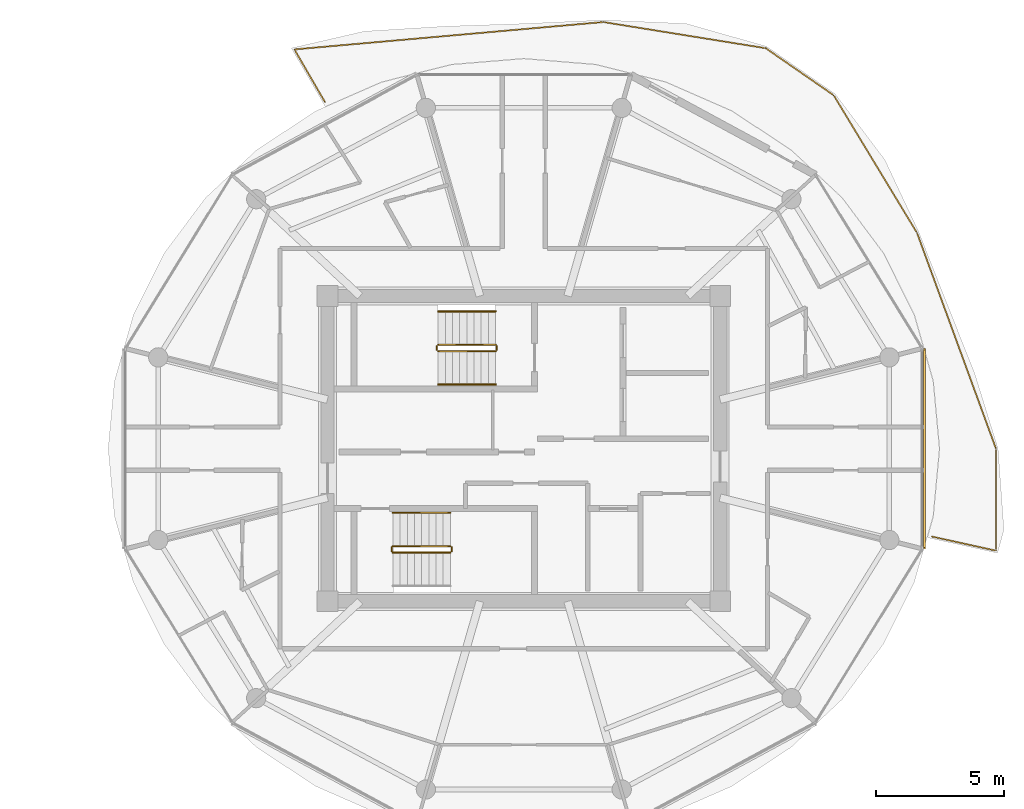
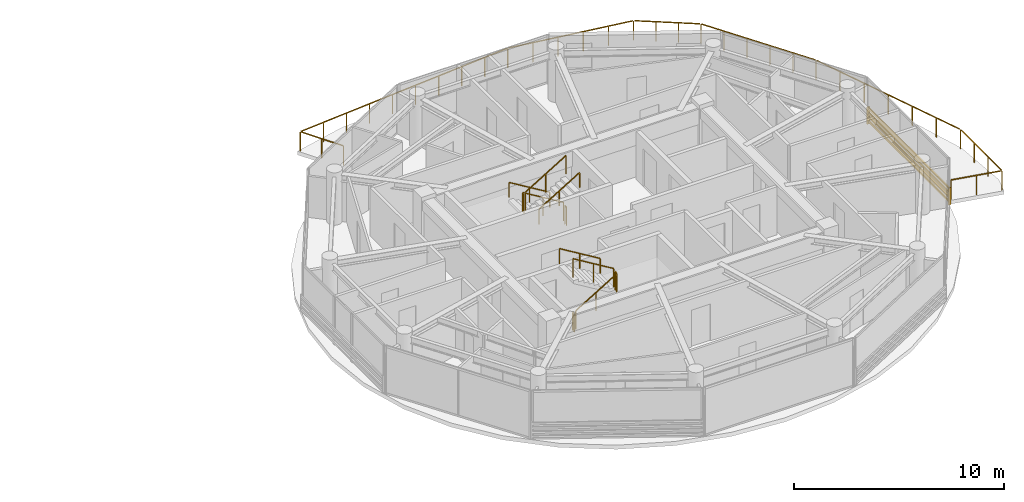
# One storey, part 19 of 19: 12 railings, 1 shading device.
"""IFC4 building model written with IfcOpenShell, lengths in metres."""

import ifcopenshell
import ifcopenshell.guid

model = None  # the IFC model being written
_history = None  # IfcOwnerHistory: only IFC2X3 demands one
_inside = {}  # id of a spatial element -> (the spatial element, [elements in it])
_under = {}  # id of a project, library or spatial element -> (it, [spatial elements below it])
_declared = {}  # id of a project -> (the project, [libraries it declares])
_typed = {}  # id of a type object -> (the type object, [elements of that type])
_made_of = {}  # id of a material, layer set ... -> (it, [elements and type objects made of it])


def new_model(schema):
    """Start an empty IFC model of exactly this schema.

    Asked for "IFC4X3", IfcOpenShell would pick the latest addendum, in which some entities
    have other attributes; the version numbers below select the first issue.
    IFC2X3 requires an IfcOwnerHistory on every rooted entity: one is made here for all.
    """
    global model, _history
    if schema == "IFC4X3":
        model = ifcopenshell.file(schema_version=(4, 3, 0, 0))
    else:
        model = ifcopenshell.file(schema=schema)
    _inside.clear()
    _under.clear()
    _declared.clear()
    _typed.clear()
    _made_of.clear()
    _history = None
    if model.schema == "IFC2X3":
        org = make("IfcOrganization", Name="unknown")
        user = make(
            "IfcPersonAndOrganization",
            ThePerson=make("IfcPerson", FamilyName="unknown"),
            TheOrganization=org,
        )
        app = make(
            "IfcApplication",
            ApplicationDeveloper=org,
            Version="unknown",
            ApplicationFullName="unknown",
            ApplicationIdentifier="unknown",
        )
        _history = make(
            "IfcOwnerHistory",
            OwningUser=user,
            OwningApplication=app,
            ChangeAction="ADDED",
            CreationDate=0,
        )
    return model


def make(cls, **values):
    """One entity of the class cls with the attributes given. An attribute that is None is left unset."""
    return model.create_entity(
        cls, **{name: value for name, value in values.items() if value is not None}
    )


def rooted(cls, **values):
    """An entity with a GlobalId (a new one), such as an element, a storey or a relation."""
    return make(cls, GlobalId=ifcopenshell.guid.new(), OwnerHistory=_history, **values)


def si_unit(unit_type, name, prefix=None):
    """IfcSIUnit, for example si_unit("LENGTHUNIT", "METRE", prefix="MILLI")."""
    return make("IfcSIUnit", UnitType=unit_type, Prefix=prefix, Name=name)


def assignment(units):
    """IfcUnitAssignment: the units of a project."""
    return None if units is None else make("IfcUnitAssignment", Units=units)


def point(xyz):
    """IfcCartesianPoint."""
    return None if xyz is None else make("IfcCartesianPoint", Coordinates=xyz)


def direction(xyz):
    """IfcDirection."""
    return None if xyz is None else make("IfcDirection", DirectionRatios=xyz)


def frame(location, z_axis=None, x_axis=None):
    """IfcAxis2Placement3D, a coordinate frame: its origin and axes. An axis left out is left unset."""
    return make(
        "IfcAxis2Placement3D",
        Location=point(location),
        Axis=direction(z_axis),
        RefDirection=direction(x_axis),
    )


def frame_2d(location, x_axis=None):
    """IfcAxis2Placement2D, a coordinate frame in the plane: its origin and x axis."""
    return make(
        "IfcAxis2Placement2D", Location=point(location), RefDirection=direction(x_axis)
    )


def origin():
    """The frame at (0, 0, 0) with its axes left unset."""
    return frame((0.0, 0.0, 0.0))


def origin_2d():
    """The frame at (0, 0) in the plane with its x axis left unset."""
    return frame_2d((0.0, 0.0))


def place(relative_to, where):
    """IfcLocalPlacement: puts the frame where relative to a parent placement (None: the world)."""
    return make(
        "IfcLocalPlacement", PlacementRelTo=relative_to, RelativePlacement=where
    )


def context(
    kind, dimensions, precision=None, world=None, true_north=None, identifier=None
):
    """IfcGeometricRepresentationContext, for example the 3D "Model" context."""
    return make(
        "IfcGeometricRepresentationContext",
        ContextIdentifier=identifier,
        ContextType=kind,
        CoordinateSpaceDimension=dimensions,
        Precision=precision,
        WorldCoordinateSystem=world,
        TrueNorth=true_north,
    )


def subcontext(parent, identifier, kind, view, scale=None):
    """IfcGeometricRepresentationSubContext, for example "Body" below "Model"."""
    return make(
        "IfcGeometricRepresentationSubContext",
        ContextIdentifier=identifier,
        ContextType=kind,
        ParentContext=parent,
        TargetScale=scale,
        TargetView=view,
    )


def project(units=None, contexts=None):
    """IfcProject with its units and contexts."""
    return rooted(
        "IfcProject",
        Name="project",
        RepresentationContexts=contexts,
        UnitsInContext=assignment(units),
    )


def spatial(cls, under=None, at=None, **own):
    """A site, building, storey or space (cls), placed at a placement, below another one or the project."""
    s = rooted(cls, ObjectPlacement=at, **own)
    if under is not None:
        _under.setdefault(under.id(), (under, []))[1].append(s)
    return s


def profile(cls, at=None, kind="AREA", **sizes):
    """A parametric profile (cls). Its sizes go by their IFC names, for example OverallWidth=200.0."""
    return make(cls, ProfileType=kind, Position=at, **sizes)


def rectangle(**sizes):
    """IfcRectangleProfileDef."""
    return profile("IfcRectangleProfileDef", **sizes)


def extrude(swept, where, along, depth):
    """IfcExtrudedAreaSolid: the profile swept, set in the frame where, extruded along a direction by depth."""
    return make(
        "IfcExtrudedAreaSolid",
        SweptArea=swept,
        Position=where,
        ExtrudedDirection=direction(along),
        Depth=depth,
    )


def shape(context_of_items, identifier, shape_type, items):
    """IfcShapeRepresentation: the items that make up one representation, for example the "Body"."""
    return make(
        "IfcShapeRepresentation",
        ContextOfItems=context_of_items,
        RepresentationIdentifier=identifier,
        RepresentationType=shape_type,
        Items=items,
    )


def source(mapping_origin, context_of_items, identifier, shape_type, items):
    """IfcRepresentationMap: a shape defined once, which mapped items show again and again."""
    return make(
        "IfcRepresentationMap",
        MappingOrigin=mapping_origin,
        MappedRepresentation=shape(context_of_items, identifier, shape_type, items),
    )


def transform(
    local_origin,
    x_axis=None,
    y_axis=None,
    z_axis=None,
    scale=None,
    scale2=None,
    scale3=None,
    uniform=True,
):
    """IfcCartesianTransformationOperator3D, or its non-uniform kind. x_axis, y_axis, z_axis: its Axis1, 2, 3."""
    if uniform:
        return make(
            "IfcCartesianTransformationOperator3D",
            Axis1=direction(x_axis),
            Axis2=direction(y_axis),
            LocalOrigin=point(local_origin),
            Scale=scale,
            Axis3=direction(z_axis),
        )
    return make(
        "IfcCartesianTransformationOperator3DnonUniform",
        Axis1=direction(x_axis),
        Axis2=direction(y_axis),
        LocalOrigin=point(local_origin),
        Scale=scale,
        Axis3=direction(z_axis),
        Scale2=scale2,
        Scale3=scale3,
    )


def mapped(mapping_source, mapping_target):
    """IfcMappedItem: shows the shape of a source again, moved by a transform."""
    return make(
        "IfcMappedItem", MappingSource=mapping_source, MappingTarget=mapping_target
    )


def material(Name=None, Category=None):
    """IfcMaterial."""
    return make("IfcMaterial", Name=Name, Category=Category)


def made_of(thing, what):
    """Note that an element or type object is made of a material, layer set ...; save() writes the relation."""
    if what is not None:
        _made_of.setdefault(what.id(), (what, []))[1].append(thing)
    return thing


def type_object(cls, material=None, **own):
    """A type object (cls), such as IfcWallType, which elements share."""
    return made_of(rooted(cls, **own), material)


def type_shapes(of_type, sources):
    """Give a type object the sources (RepresentationMaps) that its elements show as mapped items."""
    of_type.RepresentationMaps = sources


def element(
    cls,
    number,
    at=None,
    inside=None,
    cuts=None,
    type_object=None,
    material=None,
    context=None,
    identifier="Body",
    shape_type=None,
    held_by="IfcProductDefinitionShape",
    body=None,
    shapes=None,
    **own,
):
    """One element of the class cls, such as IfcWall. Its Tag is "e" and its number.

    at: its placement. inside: the storey or other place that contains it. cuts: it is an
    opening in that element (IfcRelVoidsElement). A single representation is given by context,
    identifier, shape_type and body (its items); several are given by shapes. held_by: the class
    of the entity that holds the representations. save() writes the other relations.
    """
    e = rooted(cls, Tag="e%d" % number, ObjectPlacement=at, **own)
    if body is not None:
        shapes = [shape(context, identifier, shape_type, body)]
    if shapes is not None:
        e.Representation = make(held_by, Representations=shapes)
    if inside is not None:
        _inside.setdefault(inside.id(), (inside, []))[1].append(e)
    if cuts is not None:
        rooted(
            "IfcRelVoidsElement", RelatingBuildingElement=cuts, RelatedOpeningElement=e
        )
    if type_object is not None:
        _typed.setdefault(type_object.id(), (type_object, []))[1].append(e)
    return made_of(e, material)


def aggregate(whole, parts):
    """IfcRelAggregates: a whole, such as a stair, and the parts it consists of."""
    return rooted("IfcRelAggregates", RelatingObject=whole, RelatedObjects=parts)


def save(model, path):
    """Write the relations noted so far, then the file.

    IfcRelAggregates (storeys below a building ...), IfcRelContainedInSpatialStructure (elements
    in a storey), IfcRelDefinesByType, IfcRelAssociatesMaterial and IfcRelDeclares: one each for
    every whole, place, type object, material and project.
    """
    for whole, parts in _under.values():
        aggregate(whole, parts)
    for where, things in _inside.values():
        rooted(
            "IfcRelContainedInSpatialStructure",
            RelatedElements=things,
            RelatingStructure=where,
        )
    for kind, things in _typed.values():
        rooted("IfcRelDefinesByType", RelatedObjects=things, RelatingType=kind)
    for what, things in _made_of.values():
        rooted("IfcRelAssociatesMaterial", RelatedObjects=things, RelatingMaterial=what)
    for by, libraries in _declared.values():
        rooted("IfcRelDeclares", RelatingContext=by, RelatedDefinitions=libraries)
    model.write(path)


model = new_model("IFC4")

# Units and contexts
model_context = context("Model", 3, precision=1e-05, world=origin(), true_north=direction((0.0, 1.0)))
body_context = subcontext(model_context, "Body", "Model", "MODEL_VIEW")
ifc_project = project(units=[si_unit("LENGTHUNIT", "METRE"), si_unit("AREAUNIT", "SQUARE_METRE"), si_unit("VOLUMEUNIT", "CUBIC_METRE"), si_unit("PLANEANGLEUNIT", "RADIAN"), si_unit("MASSUNIT", "GRAM", prefix="KILO")], contexts=[model_context])

# Site, building, storey
site_placement = place(None, origin())
site = spatial("IfcSite", under=ifc_project, at=site_placement, CompositionType="ELEMENT")
building_placement = place(site_placement, origin())
building = spatial("IfcBuilding", under=site, at=building_placement, Name="Norrkilde Senior Care Towers", CompositionType="ELEMENT")
storey_placement = place(building_placement, frame((0.0, 0.0, 235.25)))
storey = spatial("IfcBuildingStorey", under=building, at=storey_placement, Name="L73", CompositionType="ELEMENT", Elevation=235.25)

# Railings
ifc_material_1 = material(Name="Anodised Aluminium", Category="aluminium")
railing_type_1 = type_object("IfcRailingType", Name="Balcony Swirl Ribbon Guardrail 1150", PredefinedType="GUARDRAIL", material=ifc_material_1)
railing_1_placement = place(storey_placement, frame((20.2490234375, 13.5126953125, 0.0)))
element("IfcRailing", 1, at=railing_1_placement, inside=storey, type_object=railing_type_1, Name="L73 Perimeter Safety Guard 01", PredefinedType="GUARDRAIL", context=body_context, shape_type="SweptSolid", body=[
    extrude(rectangle(XDim=0.048095703125, YDim=0.048095703125, at=origin_2d()), frame((0.0, 0.0, 1.1259765625), z_axis=(-0.502048416302, 0.864839515569, 0.0), x_axis=(-0.864839515569, -0.502048416302, 0.0)), (0.0, 0.0, 1.0), 2.325927734375),
    extrude(rectangle(XDim=0.048095703125, YDim=0.048095703125, at=origin_2d()), frame((-1.1474609375, 2.050537109375, 1.1259765625), z_axis=(0.996096750989, 0.088268129409, 0.0), x_axis=(-0.088268129409, 0.996096750989, 0.0)), (0.0, 0.0, 1.0), 12.005126953125),
    extrude(rectangle(XDim=0.048095703125, YDim=0.048095703125, at=origin_2d()), frame((10.891845703125, 3.107177734375, 1.1259765625), z_axis=(0.987262937198, -0.159097117619, 0.0), x_axis=(0.159097117619, 0.987262937198, 0.0)), (0.0, 0.0, 1.0), 6.328125),
    extrude(rectangle(XDim=0.048095703125, YDim=0.048095703125, at=origin_2d()), frame((17.21337890625, 2.07080078125, 1.1259765625), z_axis=(0.822047632621, -0.569418729673, 0.0), x_axis=(0.569418729673, 0.822047632621, 0.0)), (0.0, 0.0, 1.0), 3.14111328125),
    extrude(rectangle(XDim=0.048095703125, YDim=0.048095703125, at=origin_2d()), frame((19.850341796875, 0.223876953125, 1.1259765625), z_axis=(0.517928715638, -0.855423781244, 0.0), x_axis=(0.855423781244, 0.517928715638, 0.0)), (0.0, 0.0, 1.0), 6.185791015625),
    extrude(rectangle(XDim=0.048095703125, YDim=0.048095703125, at=origin_2d()), frame((23.08935546875, -5.140869140625, 1.1259765625), z_axis=(0.343623678858, -0.939107431196, 0.0), x_axis=(0.939107431196, 0.343623678858, 0.0)), (0.0, 0.0, 1.0), 8.8896484375),
    extrude(rectangle(XDim=0.048095703125, YDim=0.048095703125, at=origin_2d()), frame((26.157958984375, -13.568359375, 1.1259765625), z_axis=(0.000184888447, -0.999999982908, 0.0), x_axis=(0.999999982908, 0.000184888447, 0.0)), (0.0, 0.0, 1.0), 3.879638671875),
    extrude(rectangle(XDim=0.048095703125, YDim=0.048095703125, at=origin_2d()), frame((26.11865234375, -17.480224609375, 1.1259765625), z_axis=(-0.97654596966, 0.215309008499, 0.0), x_axis=(-0.215309008499, -0.97654596966, 0.0)), (0.0, 0.0, 1.0), 2.510498046875),
    extrude(rectangle(XDim=0.0419921875, YDim=0.0419921875, at=origin_2d()), origin(), (0.0, 0.0, 1.0), 1.099853515625),
    extrude(rectangle(XDim=0.0419921875, YDim=0.0419921875, at=origin_2d()), frame((-0.59423828125, 1.0234375, 0.0)), (0.0, 0.0, 1.0), 1.099853515625),
    extrude(rectangle(XDim=0.0419921875, YDim=0.0419921875, at=origin_2d()), frame((-1.188232421875, 2.046875, 0.0)), (0.0, 0.0, 1.0), 1.099853515625),
    extrude(rectangle(XDim=0.0419921875, YDim=0.0419921875, at=origin_2d()), frame((0.1494140625, 2.16552734375, 0.0)), (0.0, 0.0, 1.0), 1.099853515625),
    extrude(rectangle(XDim=0.0419921875, YDim=0.0419921875, at=origin_2d()), frame((1.4873046875, 2.283935546875, 0.0)), (0.0, 0.0, 1.0), 1.099853515625),
    extrude(rectangle(XDim=0.0419921875, YDim=0.0419921875, at=origin_2d()), frame((2.824951171875, 2.402587890625, 0.0)), (0.0, 0.0, 1.0), 1.099853515625),
    extrude(rectangle(XDim=0.0419921875, YDim=0.0419921875, at=origin_2d()), frame((4.162841796875, 2.52099609375, 0.0)), (0.0, 0.0, 1.0), 1.099853515625),
    extrude(rectangle(XDim=0.0419921875, YDim=0.0419921875, at=origin_2d()), frame((5.50048828125, 2.6396484375, 0.0)), (0.0, 0.0, 1.0), 1.099853515625),
    extrude(rectangle(XDim=0.0419921875, YDim=0.0419921875, at=origin_2d()), frame((6.83837890625, 2.758056640625, 0.0)), (0.0, 0.0, 1.0), 1.099853515625),
    extrude(rectangle(XDim=0.0419921875, YDim=0.0419921875, at=origin_2d()), frame((8.176025390625, 2.876708984375, 0.0)), (0.0, 0.0, 1.0), 1.099853515625),
    extrude(rectangle(XDim=0.0419921875, YDim=0.0419921875, at=origin_2d()), frame((9.513916015625, 2.9951171875, 0.0)), (0.0, 0.0, 1.0), 1.099853515625),
    extrude(rectangle(XDim=0.0419921875, YDim=0.0419921875, at=origin_2d()), frame((10.8515625, 3.11376953125, 0.0)), (0.0, 0.0, 1.0), 1.099853515625),
    extrude(rectangle(XDim=0.0419921875, YDim=0.0419921875, at=origin_2d()), frame((12.1171875, 2.909912109375, 0.0)), (0.0, 0.0, 1.0), 1.099853515625),
    extrude(rectangle(XDim=0.0419921875, YDim=0.0419921875, at=origin_2d()), frame((13.3828125, 2.705810546875, 0.0)), (0.0, 0.0, 1.0), 1.099853515625),
    extrude(rectangle(XDim=0.0419921875, YDim=0.0419921875, at=origin_2d()), frame((14.6484375, 2.501953125, 0.0)), (0.0, 0.0, 1.0), 1.099853515625),
    extrude(rectangle(XDim=0.0419921875, YDim=0.0419921875, at=origin_2d()), frame((15.9140625, 2.2978515625, 0.0)), (0.0, 0.0, 1.0), 1.099853515625),
    extrude(rectangle(XDim=0.0419921875, YDim=0.0419921875, at=origin_2d()), frame((17.1796875, 2.093994140625, 0.0)), (0.0, 0.0, 1.0), 1.099853515625),
    extrude(rectangle(XDim=0.0419921875, YDim=0.0419921875, at=origin_2d()), frame((18.062744140625, 1.482177734375, 0.0)), (0.0, 0.0, 1.0), 1.099853515625),
    extrude(rectangle(XDim=0.0419921875, YDim=0.0419921875, at=origin_2d()), frame((18.946044921875, 0.87060546875, 0.0)), (0.0, 0.0, 1.0), 1.099853515625),
    extrude(rectangle(XDim=0.0419921875, YDim=0.0419921875, at=origin_2d()), frame((19.8291015625, 0.2587890625, 0.0)), (0.0, 0.0, 1.0), 1.099853515625),
    extrude(rectangle(XDim=0.0419921875, YDim=0.0419921875, at=origin_2d()), frame((20.478271484375, -0.8134765625, 0.0)), (0.0, 0.0, 1.0), 1.099853515625),
    extrude(rectangle(XDim=0.0419921875, YDim=0.0419921875, at=origin_2d()), frame((21.12744140625, -1.8857421875, 0.0)), (0.0, 0.0, 1.0), 1.099853515625),
    extrude(rectangle(XDim=0.0419921875, YDim=0.0419921875, at=origin_2d()), frame((21.77685546875, -2.9580078125, 0.0)), (0.0, 0.0, 1.0), 1.099853515625),
    extrude(rectangle(XDim=0.0419921875, YDim=0.0419921875, at=origin_2d()), frame((22.426025390625, -4.0302734375, 0.0)), (0.0, 0.0, 1.0), 1.099853515625),
    extrude(rectangle(XDim=0.0419921875, YDim=0.0419921875, at=origin_2d()), frame((23.0751953125, -5.1025390625, 0.0)), (0.0, 0.0, 1.0), 1.099853515625),
    extrude(rectangle(XDim=0.0419921875, YDim=0.0419921875, at=origin_2d()), frame((23.5888671875, -6.5068359375, 0.0)), (0.0, 0.0, 1.0), 1.099853515625),
    extrude(rectangle(XDim=0.0419921875, YDim=0.0419921875, at=origin_2d()), frame((24.102783203125, -7.910888671875, 0.0)), (0.0, 0.0, 1.0), 1.099853515625),
    extrude(rectangle(XDim=0.0419921875, YDim=0.0419921875, at=origin_2d()), frame((24.61669921875, -9.31494140625, 0.0)), (0.0, 0.0, 1.0), 1.099853515625),
    extrude(rectangle(XDim=0.0419921875, YDim=0.0419921875, at=origin_2d()), frame((25.13037109375, -10.71923828125, 0.0)), (0.0, 0.0, 1.0), 1.099853515625),
    extrude(rectangle(XDim=0.0419921875, YDim=0.0419921875, at=origin_2d()), frame((25.64404296875, -12.12353515625, 0.0)), (0.0, 0.0, 1.0), 1.099853515625),
    extrude(rectangle(XDim=0.0419921875, YDim=0.0419921875, at=origin_2d()), frame((26.157958984375, -13.527587890625, 0.0)), (0.0, 0.0, 1.0), 1.099853515625),
    extrude(rectangle(XDim=0.0419921875, YDim=0.0419921875, at=origin_2d()), frame((26.158203125, -14.84814453125, 0.0)), (0.0, 0.0, 1.0), 1.099853515625),
    extrude(rectangle(XDim=0.0419921875, YDim=0.0419921875, at=origin_2d()), frame((26.158447265625, -16.16845703125, 0.0)), (0.0, 0.0, 1.0), 1.099853515625),
    extrude(rectangle(XDim=0.0419921875, YDim=0.0419921875, at=origin_2d()), frame((26.15869140625, -17.489013671875, 0.0)), (0.0, 0.0, 1.0), 1.099853515625),
    extrude(rectangle(XDim=0.0419921875, YDim=0.0419921875, at=origin_2d()), frame((24.9130859375, -17.21435546875, 0.0)), (0.0, 0.0, 1.0), 1.099853515625),
    extrude(rectangle(XDim=0.0419921875, YDim=0.0419921875, at=origin_2d()), frame((23.667236328125, -16.939697265625, 0.0)), (0.0, 0.0, 1.0), 1.099853515625),
])
ifc_material_2 = material(Name="Stainless Steel", Category="steel")
railing_type_2 = type_object("IfcRailingType", Name="Stair and Terrace Guardrail 1100", PredefinedType="GUARDRAIL", material=ifc_material_2)
railing_2_placement = place(storey_placement, frame((26.89990234375, 4.050048828125, 0.16943359375)))
element("IfcRailing", 2, at=railing_2_placement, inside=storey, type_object=railing_type_2, Name="L73 ST-E1 stair guard 1", PredefinedType="GUARDRAIL", context=body_context, shape_type="SweptSolid", body=[
    extrude(rectangle(XDim=0.048095703125, YDim=0.048095703125, at=origin_2d()), frame((0.0, 0.0, 1.076171875), z_axis=(-0.855553338991, 0.0, 0.51771467445), x_axis=(0.0, -1.0, 0.0)), (0.0, 0.0, 1.0), 2.6181640625),
    extrude(rectangle(XDim=0.0419921875, YDim=0.0419921875, at=origin_2d()), origin(), (0.0, 0.0, 1.0), 1.050048828125),
    extrude(rectangle(XDim=0.0419921875, YDim=0.0419921875, at=origin_2d()), frame((-1.1201171875, 0.0, 0.677734375)), (0.0, 0.0, 1.0), 1.050048828125),
    extrude(rectangle(XDim=0.0419921875, YDim=0.0419921875, at=origin_2d()), frame((-2.239990234375, 0.0, 1.35546875)), (0.0, 0.0, 1.0), 1.050048828125),
])
railing_3_placement = place(storey_placement, frame((24.610107421875, 4.0, 1.52490234375)))
element("IfcRailing", 3, at=railing_3_placement, inside=storey, type_object=railing_type_2, Name="L73 ST-E1 stair guard 2", PredefinedType="GUARDRAIL", context=body_context, shape_type="SweptSolid", body=[
    extrude(rectangle(XDim=0.048095703125, YDim=0.048095703125, at=origin_2d()), frame((0.0, 0.0, 1.076171875), z_axis=(0.0, -1.0, 0.0), x_axis=(1.0, 0.0, 0.0)), (0.0, 0.0, 1.0), 0.14990234375),
    extrude(rectangle(XDim=0.0419921875, YDim=0.0419921875, at=origin_2d()), origin(), (0.0, 0.0, 1.0), 1.050048828125),
    extrude(rectangle(XDim=0.0419921875, YDim=0.0419921875, at=origin_2d()), frame((0.0, -0.14990234375, 0.0)), (0.0, 0.0, 1.0), 1.050048828125),
])
railing_4_placement = place(storey_placement, frame((24.659912109375, 3.800048828125, 1.6943359375)))
element("IfcRailing", 4, at=railing_4_placement, inside=storey, type_object=railing_type_2, Name="L73 ST-E1 stair guard 3", PredefinedType="GUARDRAIL", context=body_context, shape_type="SweptSolid", body=[
    extrude(rectangle(XDim=0.048095703125, YDim=0.048095703125, at=origin_2d()), frame((0.0, 0.0, 1.076171875), z_axis=(0.855512035549, 0.0, 0.517782924622), x_axis=(0.0, 1.0, 0.0)), (0.0, 0.0, 1.0), 2.618408203125),
    extrude(rectangle(XDim=0.0419921875, YDim=0.0419921875, at=origin_2d()), origin(), (0.0, 0.0, 1.0), 1.050048828125),
    extrude(rectangle(XDim=0.0419921875, YDim=0.0419921875, at=origin_2d()), frame((1.1201171875, 0.0, 0.677734375)), (0.0, 0.0, 1.0), 1.050048828125),
    extrude(rectangle(XDim=0.0419921875, YDim=0.0419921875, at=origin_2d()), frame((2.239990234375, 0.0, 1.355712890625)), (0.0, 0.0, 1.0), 1.050048828125),
])
railing_5_placement = place(storey_placement, frame((26.949951171875, 4.0, 0.0)))
element("IfcRailing", 5, at=railing_5_placement, inside=storey, type_object=railing_type_2, Name="L73 ST-E1 stair guard 4", PredefinedType="GUARDRAIL", context=body_context, shape_type="SweptSolid", body=[
    extrude(rectangle(XDim=0.048095703125, YDim=0.048095703125, at=origin_2d()), frame((0.0, 0.0, 1.076171875), z_axis=(0.0, -1.0, 0.0), x_axis=(1.0, 0.0, 0.0)), (0.0, 0.0, 1.0), 0.14990234375),
    extrude(rectangle(XDim=0.0419921875, YDim=0.0419921875, at=origin_2d()), origin(), (0.0, 0.0, 1.0), 1.050048828125),
    extrude(rectangle(XDim=0.0419921875, YDim=0.0419921875, at=origin_2d()), frame((0.0, -0.14990234375, 0.0)), (0.0, 0.0, 1.0), 1.050048828125),
])
railing_6_placement = place(storey_placement, frame((22.89990234375, -4.050048828125, 0.16943359375)))
element("IfcRailing", 6, at=railing_6_placement, inside=storey, type_object=railing_type_2, Name="L73 ST-E2 stair guard 1", PredefinedType="GUARDRAIL", context=body_context, shape_type="SweptSolid", body=[
    extrude(rectangle(XDim=0.048095703125, YDim=0.048095703125, at=origin_2d()), frame((0.0, 0.0, 1.076171875), z_axis=(0.855553338991, 0.0, 0.51771467445), x_axis=(0.0, 1.0, 0.0)), (0.0, 0.0, 1.0), 2.6181640625),
    extrude(rectangle(XDim=0.0419921875, YDim=0.0419921875, at=origin_2d()), origin(), (0.0, 0.0, 1.0), 1.050048828125),
    extrude(rectangle(XDim=0.0419921875, YDim=0.0419921875, at=origin_2d()), frame((1.1201171875, 0.0, 0.677734375)), (0.0, 0.0, 1.0), 1.050048828125),
    extrude(rectangle(XDim=0.0419921875, YDim=0.0419921875, at=origin_2d()), frame((2.239990234375, 0.0, 1.35546875)), (0.0, 0.0, 1.0), 1.050048828125),
])
railing_7_placement = place(storey_placement, frame((25.18994140625, -4.0, 1.52490234375)))
element("IfcRailing", 7, at=railing_7_placement, inside=storey, type_object=railing_type_2, Name="L73 ST-E2 stair guard 2", PredefinedType="GUARDRAIL", context=body_context, shape_type="SweptSolid", body=[
    extrude(rectangle(XDim=0.048095703125, YDim=0.048095703125, at=origin_2d()), frame((0.0, 0.0, 1.076171875), z_axis=(0.0, 1.0, 0.0), x_axis=(-1.0, 0.0, 0.0)), (0.0, 0.0, 1.0), 0.14990234375),
    extrude(rectangle(XDim=0.0419921875, YDim=0.0419921875, at=origin_2d()), origin(), (0.0, 0.0, 1.0), 1.050048828125),
    extrude(rectangle(XDim=0.0419921875, YDim=0.0419921875, at=origin_2d()), frame((0.0, 0.14990234375, 0.0)), (0.0, 0.0, 1.0), 1.050048828125),
])
railing_8_placement = place(storey_placement, frame((25.139892578125, -3.800048828125, 1.6943359375)))
element("IfcRailing", 8, at=railing_8_placement, inside=storey, type_object=railing_type_2, Name="L73 ST-E2 stair guard 3", PredefinedType="GUARDRAIL", context=body_context, shape_type="SweptSolid", body=[
    extrude(rectangle(XDim=0.048095703125, YDim=0.048095703125, at=origin_2d()), frame((0.0, 0.0, 1.076171875), z_axis=(-0.855512035549, 0.0, 0.517782924622), x_axis=(0.0, -1.0, 0.0)), (0.0, 0.0, 1.0), 2.618408203125),
    extrude(rectangle(XDim=0.0419921875, YDim=0.0419921875, at=origin_2d()), origin(), (0.0, 0.0, 1.0), 1.050048828125),
    extrude(rectangle(XDim=0.0419921875, YDim=0.0419921875, at=origin_2d()), frame((-1.1201171875, 0.0, 0.677734375)), (0.0, 0.0, 1.0), 1.050048828125),
    extrude(rectangle(XDim=0.0419921875, YDim=0.0419921875, at=origin_2d()), frame((-2.239990234375, 0.0, 1.355712890625)), (0.0, 0.0, 1.0), 1.050048828125),
])
railing_9_placement = place(storey_placement, frame((22.85009765625, -4.0, 0.0)))
element("IfcRailing", 9, at=railing_9_placement, inside=storey, type_object=railing_type_2, Name="L73 ST-E2 stair guard 4", PredefinedType="GUARDRAIL", context=body_context, shape_type="SweptSolid", body=[
    extrude(rectangle(XDim=0.048095703125, YDim=0.048095703125, at=origin_2d()), frame((0.0, 0.0, 1.076171875), z_axis=(0.0, 1.0, 0.0), x_axis=(-1.0, 0.0, 0.0)), (0.0, 0.0, 1.0), 0.14990234375),
    extrude(rectangle(XDim=0.0419921875, YDim=0.0419921875, at=origin_2d()), origin(), (0.0, 0.0, 1.0), 1.050048828125),
    extrude(rectangle(XDim=0.0419921875, YDim=0.0419921875, at=origin_2d()), frame((0.0, 0.14990234375, 0.0)), (0.0, 0.0, 1.0), 1.050048828125),
])
ifc_material_3 = material(Name="Nordic Ash Timber", Category="wood")
railing_type_3 = type_object("IfcRailingType", Name="Wall and Stair Handrail 900", PredefinedType="HANDRAIL", material=ifc_material_3)
railing_10_placement = place(storey_placement, frame((26.89990234375, 5.35009765625, 0.16943359375)))
element("IfcRailing", 10, at=railing_10_placement, inside=storey, type_object=railing_type_3, Name="L73 ST-E1 stair handrail 1", PredefinedType="HANDRAIL", context=body_context, shape_type="SweptSolid", body=[
    extrude(rectangle(XDim=0.048095703125, YDim=0.048095703125, at=origin_2d()), frame((0.0, 0.0, 0.8759765625), z_axis=(-0.855553338991, 0.0, 0.51771467445), x_axis=(0.0, -1.0, 0.0)), (0.0, 0.0, 1.0), 2.6181640625),
    extrude(rectangle(XDim=0.0419921875, YDim=0.0419921875, at=origin_2d()), origin(), (0.0, 0.0, 1.0), 0.849853515625),
    extrude(rectangle(XDim=0.0419921875, YDim=0.0419921875, at=origin_2d()), frame((-1.1201171875, 0.0, 0.677734375)), (0.0, 0.0, 1.0), 0.849853515625),
    extrude(rectangle(XDim=0.0419921875, YDim=0.0419921875, at=origin_2d()), frame((-2.239990234375, 0.0, 1.35546875)), (0.0, 0.0, 1.0), 0.849853515625),
])
railing_11_placement = place(storey_placement, frame((24.659912109375, 2.5, 1.6943359375)))
element("IfcRailing", 11, at=railing_11_placement, inside=storey, type_object=railing_type_3, Name="L73 ST-E1 stair handrail 2", PredefinedType="HANDRAIL", context=body_context, shape_type="SweptSolid", body=[
    extrude(rectangle(XDim=0.048095703125, YDim=0.048095703125, at=origin_2d()), frame((0.0, 0.0, 0.8759765625), z_axis=(0.855512035549, 0.0, 0.517782924622), x_axis=(0.0, 1.0, 0.0)), (0.0, 0.0, 1.0), 2.618408203125),
    extrude(rectangle(XDim=0.0419921875, YDim=0.0419921875, at=origin_2d()), origin(), (0.0, 0.0, 1.0), 0.849853515625),
    extrude(rectangle(XDim=0.0419921875, YDim=0.0419921875, at=origin_2d()), frame((1.1201171875, 0.0, 0.677734375)), (0.0, 0.0, 1.0), 0.849853515625),
    extrude(rectangle(XDim=0.0419921875, YDim=0.0419921875, at=origin_2d()), frame((2.239990234375, 0.0, 1.355712890625)), (0.0, 0.0, 1.0), 0.849853515625),
])
railing_12_placement = place(storey_placement, frame((25.139892578125, -2.5, 1.6943359375)))
element("IfcRailing", 12, at=railing_12_placement, inside=storey, type_object=railing_type_3, Name="L73 ST-E2 stair handrail 2", PredefinedType="HANDRAIL", context=body_context, shape_type="SweptSolid", body=[
    extrude(rectangle(XDim=0.048095703125, YDim=0.048095703125, at=origin_2d()), frame((0.0, 0.0, 0.8759765625), z_axis=(-0.855512035549, 0.0, 0.517782924622), x_axis=(0.0, -1.0, 0.0)), (0.0, 0.0, 1.0), 2.618408203125),
    extrude(rectangle(XDim=0.0419921875, YDim=0.0419921875, at=origin_2d()), origin(), (0.0, 0.0, 1.0), 0.849853515625),
    extrude(rectangle(XDim=0.0419921875, YDim=0.0419921875, at=origin_2d()), frame((-1.1201171875, 0.0, 0.677734375)), (0.0, 0.0, 1.0), 0.849853515625),
    extrude(rectangle(XDim=0.0419921875, YDim=0.0419921875, at=origin_2d()), frame((-2.239990234375, 0.0, 1.355712890625)), (0.0, 0.0, 1.0), 0.849853515625),
])

# Shading device
ifc_material_4 = material(Name="Architectural Terracotta", Category="masonry")
shading_device_type = type_object("IfcShadingDeviceType", Name="Horizontal Terracotta Baguette Rack", PredefinedType="USERDEFINED", material=ifc_material_4)
shared_shape = source(origin(), body_context, "Body", "SweptSolid", [
    extrude(rectangle(XDim=0.070068359375, YDim=0.110107421875, at=origin_2d()), frame((0.0, 0.090087890625, 0.125), z_axis=(1.0, 0.0, 0.0), x_axis=(0.0, 1.0, 0.0)), (0.0, 0.0, 1.0), 7.80615234375),
    extrude(rectangle(XDim=0.070068359375, YDim=0.110107421875, at=origin_2d()), frame((0.0, 0.090087890625, 0.375), z_axis=(1.0, 0.0, 0.0), x_axis=(0.0, 1.0, 0.0)), (0.0, 0.0, 1.0), 7.80615234375),
    extrude(rectangle(XDim=0.070068359375, YDim=0.110107421875, at=origin_2d()), frame((0.0, 0.090087890625, 0.625), z_axis=(1.0, 0.0, 0.0), x_axis=(0.0, 1.0, 0.0)), (0.0, 0.0, 1.0), 7.80615234375),
    extrude(rectangle(XDim=0.070068359375, YDim=0.110107421875, at=origin_2d()), frame((0.0, 0.090087890625, 0.875), z_axis=(1.0, 0.0, 0.0), x_axis=(0.0, 1.0, 0.0)), (0.0, 0.0, 1.0), 7.80615234375),
    extrude(rectangle(XDim=0.050048828125, YDim=0.1552734375, at=origin_2d()), frame((0.02490234375, 0.047607421875, 0.0)), (0.0, 0.0, 1.0), 1.0),
    extrude(rectangle(XDim=0.050048828125, YDim=0.1552734375, at=origin_2d()), frame((7.78125, 0.047607421875, 0.0)), (0.0, 0.0, 1.0), 1.0),
])
type_shapes(shading_device_type, [shared_shape])
shading_device_placement = place(storey_placement, frame((43.531982421875, 3.903076171875, 0.080078125), z_axis=(0.0, 0.0, 1.0), x_axis=(0.0, -1.0, 0.0)))
element("IfcShadingDevice", 13, at=shading_device_placement, inside=storey, type_object=shading_device_type, Name="L73 Drum E Terracotta Baguette Screen 11", ObjectType="BAGUETTE", PredefinedType="USERDEFINED", context=body_context, shape_type="MappedRepresentation", body=[
    mapped(shared_shape, transform((0.0, 0.0, 0.0), x_axis=(1.0, 0.0, 0.0), y_axis=(0.0, 1.0, 0.0), z_axis=(0.0, 0.0, 1.0), scale=1.0)),
])

save(model, "model.ifc")
